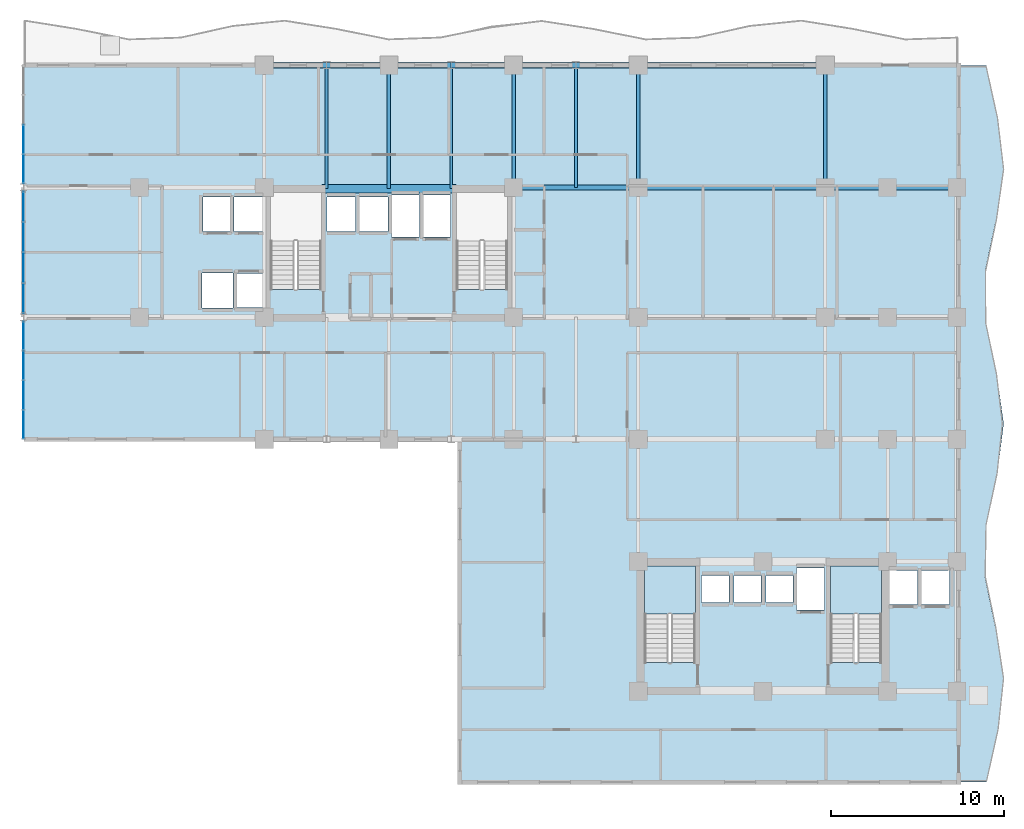
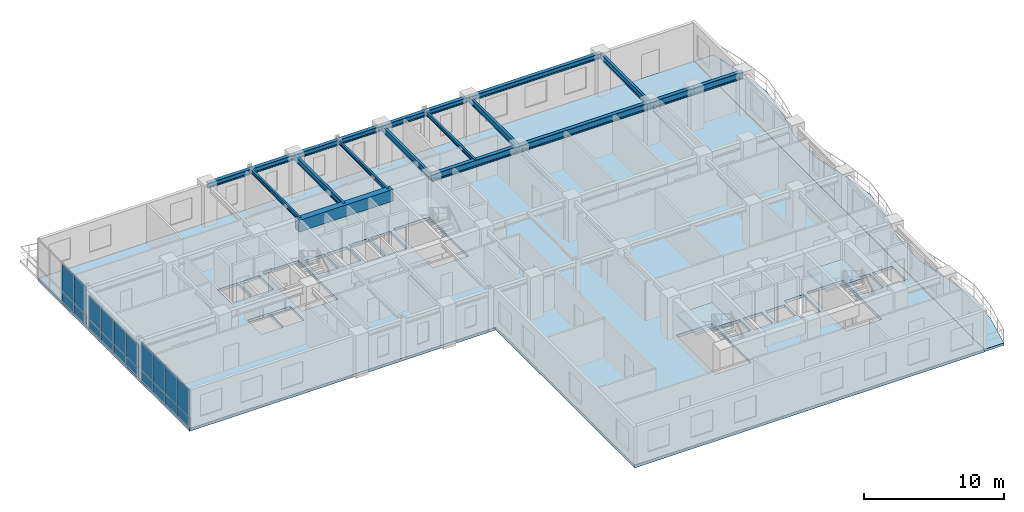
# One storey, part 9 of 19: 20 plates, 19 beams, 4 slabs, 5 elements without a shape of their own.
"""IFC4 building model written with IfcOpenShell, lengths in metres."""

import ifcopenshell
import ifcopenshell.guid

model = None  # the IFC model being written
_history = None  # IfcOwnerHistory: only IFC2X3 demands one
_inside = {}  # id of a spatial element -> (the spatial element, [elements in it])
_under = {}  # id of a project, library or spatial element -> (it, [spatial elements below it])
_declared = {}  # id of a project -> (the project, [libraries it declares])
_typed = {}  # id of a type object -> (the type object, [elements of that type])
_made_of = {}  # id of a material, layer set ... -> (it, [elements and type objects made of it])


def new_model(schema):
    """Start an empty IFC model of exactly this schema.

    Asked for "IFC4X3", IfcOpenShell would pick the latest addendum, in which some entities
    have other attributes; the version numbers below select the first issue.
    IFC2X3 requires an IfcOwnerHistory on every rooted entity: one is made here for all.
    """
    global model, _history
    if schema == "IFC4X3":
        model = ifcopenshell.file(schema_version=(4, 3, 0, 0))
    else:
        model = ifcopenshell.file(schema=schema)
    _inside.clear()
    _under.clear()
    _declared.clear()
    _typed.clear()
    _made_of.clear()
    _history = None
    if model.schema == "IFC2X3":
        org = make("IfcOrganization", Name="unknown")
        user = make(
            "IfcPersonAndOrganization",
            ThePerson=make("IfcPerson", FamilyName="unknown"),
            TheOrganization=org,
        )
        app = make(
            "IfcApplication",
            ApplicationDeveloper=org,
            Version="unknown",
            ApplicationFullName="unknown",
            ApplicationIdentifier="unknown",
        )
        _history = make(
            "IfcOwnerHistory",
            OwningUser=user,
            OwningApplication=app,
            ChangeAction="ADDED",
            CreationDate=0,
        )
    return model


def make(cls, **values):
    """One entity of the class cls with the attributes given. An attribute that is None is left unset."""
    return model.create_entity(
        cls, **{name: value for name, value in values.items() if value is not None}
    )


def rooted(cls, **values):
    """An entity with a GlobalId (a new one), such as an element, a storey or a relation."""
    return make(cls, GlobalId=ifcopenshell.guid.new(), OwnerHistory=_history, **values)


def si_unit(unit_type, name, prefix=None):
    """IfcSIUnit, for example si_unit("LENGTHUNIT", "METRE", prefix="MILLI")."""
    return make("IfcSIUnit", UnitType=unit_type, Prefix=prefix, Name=name)


def assignment(units):
    """IfcUnitAssignment: the units of a project."""
    return None if units is None else make("IfcUnitAssignment", Units=units)


def point(xyz):
    """IfcCartesianPoint."""
    return None if xyz is None else make("IfcCartesianPoint", Coordinates=xyz)


def direction(xyz):
    """IfcDirection."""
    return None if xyz is None else make("IfcDirection", DirectionRatios=xyz)


def frame(location, z_axis=None, x_axis=None):
    """IfcAxis2Placement3D, a coordinate frame: its origin and axes. An axis left out is left unset."""
    return make(
        "IfcAxis2Placement3D",
        Location=point(location),
        Axis=direction(z_axis),
        RefDirection=direction(x_axis),
    )


def frame_2d(location, x_axis=None):
    """IfcAxis2Placement2D, a coordinate frame in the plane: its origin and x axis."""
    return make(
        "IfcAxis2Placement2D", Location=point(location), RefDirection=direction(x_axis)
    )


def origin():
    """The frame at (0, 0, 0) with its axes left unset."""
    return frame((0.0, 0.0, 0.0))


def origin_2d():
    """The frame at (0, 0) in the plane with its x axis left unset."""
    return frame_2d((0.0, 0.0))


def place(relative_to, where):
    """IfcLocalPlacement: puts the frame where relative to a parent placement (None: the world)."""
    return make(
        "IfcLocalPlacement", PlacementRelTo=relative_to, RelativePlacement=where
    )


def context(
    kind, dimensions, precision=None, world=None, true_north=None, identifier=None
):
    """IfcGeometricRepresentationContext, for example the 3D "Model" context."""
    return make(
        "IfcGeometricRepresentationContext",
        ContextIdentifier=identifier,
        ContextType=kind,
        CoordinateSpaceDimension=dimensions,
        Precision=precision,
        WorldCoordinateSystem=world,
        TrueNorth=true_north,
    )


def subcontext(parent, identifier, kind, view, scale=None):
    """IfcGeometricRepresentationSubContext, for example "Body" below "Model"."""
    return make(
        "IfcGeometricRepresentationSubContext",
        ContextIdentifier=identifier,
        ContextType=kind,
        ParentContext=parent,
        TargetScale=scale,
        TargetView=view,
    )


def project(units=None, contexts=None):
    """IfcProject with its units and contexts."""
    return rooted(
        "IfcProject",
        Name="project",
        RepresentationContexts=contexts,
        UnitsInContext=assignment(units),
    )


def spatial(cls, under=None, at=None, **own):
    """A site, building, storey or space (cls), placed at a placement, below another one or the project."""
    s = rooted(cls, ObjectPlacement=at, **own)
    if under is not None:
        _under.setdefault(under.id(), (under, []))[1].append(s)
    return s


def polyline(points):
    """IfcPolyline through the points."""
    return make("IfcPolyline", Points=[point(p) for p in points])


def profile(cls, at=None, kind="AREA", **sizes):
    """A parametric profile (cls). Its sizes go by their IFC names, for example OverallWidth=200.0."""
    return make(cls, ProfileType=kind, Position=at, **sizes)


def rectangle(**sizes):
    """IfcRectangleProfileDef."""
    return profile("IfcRectangleProfileDef", **sizes)


def i_section(**sizes):
    """IfcIShapeProfileDef."""
    return profile("IfcIShapeProfileDef", **sizes)


def outline(outer, holes=None, kind="AREA"):
    """IfcArbitraryClosedProfileDef: a profile drawn as a closed curve; with holes, ...WithVoids."""
    if holes is None:
        return make("IfcArbitraryClosedProfileDef", ProfileType=kind, OuterCurve=outer)
    return make(
        "IfcArbitraryProfileDefWithVoids",
        ProfileType=kind,
        OuterCurve=outer,
        InnerCurves=holes,
    )


def extrude(swept, where, along, depth):
    """IfcExtrudedAreaSolid: the profile swept, set in the frame where, extruded along a direction by depth."""
    return make(
        "IfcExtrudedAreaSolid",
        SweptArea=swept,
        Position=where,
        ExtrudedDirection=direction(along),
        Depth=depth,
    )


def shape(context_of_items, identifier, shape_type, items):
    """IfcShapeRepresentation: the items that make up one representation, for example the "Body"."""
    return make(
        "IfcShapeRepresentation",
        ContextOfItems=context_of_items,
        RepresentationIdentifier=identifier,
        RepresentationType=shape_type,
        Items=items,
    )


def source(mapping_origin, context_of_items, identifier, shape_type, items):
    """IfcRepresentationMap: a shape defined once, which mapped items show again and again."""
    return make(
        "IfcRepresentationMap",
        MappingOrigin=mapping_origin,
        MappedRepresentation=shape(context_of_items, identifier, shape_type, items),
    )


def transform(
    local_origin,
    x_axis=None,
    y_axis=None,
    z_axis=None,
    scale=None,
    scale2=None,
    scale3=None,
    uniform=True,
):
    """IfcCartesianTransformationOperator3D, or its non-uniform kind. x_axis, y_axis, z_axis: its Axis1, 2, 3."""
    if uniform:
        return make(
            "IfcCartesianTransformationOperator3D",
            Axis1=direction(x_axis),
            Axis2=direction(y_axis),
            LocalOrigin=point(local_origin),
            Scale=scale,
            Axis3=direction(z_axis),
        )
    return make(
        "IfcCartesianTransformationOperator3DnonUniform",
        Axis1=direction(x_axis),
        Axis2=direction(y_axis),
        LocalOrigin=point(local_origin),
        Scale=scale,
        Axis3=direction(z_axis),
        Scale2=scale2,
        Scale3=scale3,
    )


def mapped(mapping_source, mapping_target):
    """IfcMappedItem: shows the shape of a source again, moved by a transform."""
    return make(
        "IfcMappedItem", MappingSource=mapping_source, MappingTarget=mapping_target
    )


def material(Name=None, Category=None):
    """IfcMaterial."""
    return make("IfcMaterial", Name=Name, Category=Category)


def layer(
    of_material, thickness, ventilated=None, Name=None, Category=None, Priority=None
):
    """IfcMaterialLayer: one layer of a wall or slab, of a material (None: an air gap)."""
    return make(
        "IfcMaterialLayer",
        Material=of_material,
        LayerThickness=thickness,
        IsVentilated=ventilated,
        Name=Name,
        Category=Category,
        Priority=Priority,
    )


def layer_set(layers, Name=None):
    """IfcMaterialLayerSet."""
    return make("IfcMaterialLayerSet", MaterialLayers=layers, LayerSetName=Name)


def material_profile(
    of_material, cross_section, Name=None, Category=None, Priority=None
):
    """IfcMaterialProfile: a cross section and its material."""
    return make(
        "IfcMaterialProfile",
        Name=Name,
        Material=of_material,
        Profile=cross_section,
        Priority=Priority,
        Category=Category,
    )


def profile_set(profiles, Name=None, composite=None):
    """IfcMaterialProfileSet."""
    return make(
        "IfcMaterialProfileSet",
        Name=Name,
        MaterialProfiles=profiles,
        CompositeProfile=composite,
    )


def made_of(thing, what):
    """Note that an element or type object is made of a material, layer set ...; save() writes the relation."""
    if what is not None:
        _made_of.setdefault(what.id(), (what, []))[1].append(thing)
    return thing


def type_object(cls, material=None, **own):
    """A type object (cls), such as IfcWallType, which elements share."""
    return made_of(rooted(cls, **own), material)


def element(
    cls,
    number,
    at=None,
    inside=None,
    cuts=None,
    type_object=None,
    material=None,
    context=None,
    identifier="Body",
    shape_type=None,
    held_by="IfcProductDefinitionShape",
    body=None,
    shapes=None,
    **own,
):
    """One element of the class cls, such as IfcWall. Its Tag is "e" and its number.

    at: its placement. inside: the storey or other place that contains it. cuts: it is an
    opening in that element (IfcRelVoidsElement). A single representation is given by context,
    identifier, shape_type and body (its items); several are given by shapes. held_by: the class
    of the entity that holds the representations. save() writes the other relations.
    """
    e = rooted(cls, Tag="e%d" % number, ObjectPlacement=at, **own)
    if body is not None:
        shapes = [shape(context, identifier, shape_type, body)]
    if shapes is not None:
        e.Representation = make(held_by, Representations=shapes)
    if inside is not None:
        _inside.setdefault(inside.id(), (inside, []))[1].append(e)
    if cuts is not None:
        rooted(
            "IfcRelVoidsElement", RelatingBuildingElement=cuts, RelatedOpeningElement=e
        )
    if type_object is not None:
        _typed.setdefault(type_object.id(), (type_object, []))[1].append(e)
    return made_of(e, material)


def aggregate(whole, parts):
    """IfcRelAggregates: a whole, such as a stair, and the parts it consists of."""
    return rooted("IfcRelAggregates", RelatingObject=whole, RelatedObjects=parts)


def save(model, path):
    """Write the relations noted so far, then the file.

    IfcRelAggregates (storeys below a building ...), IfcRelContainedInSpatialStructure (elements
    in a storey), IfcRelDefinesByType, IfcRelAssociatesMaterial and IfcRelDeclares: one each for
    every whole, place, type object, material and project.
    """
    for whole, parts in _under.values():
        aggregate(whole, parts)
    for where, things in _inside.values():
        rooted(
            "IfcRelContainedInSpatialStructure",
            RelatedElements=things,
            RelatingStructure=where,
        )
    for kind, things in _typed.values():
        rooted("IfcRelDefinesByType", RelatedObjects=things, RelatingType=kind)
    for what, things in _made_of.values():
        rooted("IfcRelAssociatesMaterial", RelatedObjects=things, RelatingMaterial=what)
    for by, libraries in _declared.values():
        rooted("IfcRelDeclares", RelatingContext=by, RelatedDefinitions=libraries)
    model.write(path)


model = new_model("IFC4")

# Units and contexts
model_context = context("Model", 3, precision=1e-05, world=origin(), true_north=direction((0.0, 1.0)))
body_context = subcontext(model_context, "Body", "Model", "MODEL_VIEW")
ifc_project = project(units=[si_unit("LENGTHUNIT", "METRE"), si_unit("AREAUNIT", "SQUARE_METRE"), si_unit("VOLUMEUNIT", "CUBIC_METRE"), si_unit("PLANEANGLEUNIT", "RADIAN"), si_unit("MASSUNIT", "GRAM", prefix="KILO")], contexts=[model_context])

# Site, building, storey
site_placement = place(None, origin())
site = spatial("IfcSite", under=ifc_project, at=site_placement, CompositionType="ELEMENT")
building_placement = place(site_placement, origin())
building = spatial("IfcBuilding", under=site, at=building_placement, Name="Kaliganga Portal Commons", CompositionType="ELEMENT")
storey_placement = place(building_placement, frame((0.0, 0.0, 140.199951171875)))
storey = spatial("IfcBuildingStorey", under=building, at=storey_placement, Name="L35", CompositionType="ELEMENT", Elevation=140.199951171875)

# Beams
ifc_material_1 = material(Name="Concrete C50/60", Category="concrete")
ifc_material_profile_1 = material_profile(ifc_material_1, rectangle(XDim=0.5, YDim=1.0, at=origin_2d()), Name="RC 500x1000")
ifc_profile_set_1 = profile_set([ifc_material_profile_1], Name="Concrete C50/60")
beam_type_1 = type_object("IfcBeamType", Name="BM-CPL-1000", PredefinedType="LINTEL", material=ifc_profile_set_1)
shared_shape_1 = source(origin(), body_context, "Body", "SweptSolid", [
    extrude(rectangle(XDim=0.5, YDim=1.0, at=origin_2d()), origin(), (0.0, 0.0, 1.0), 7.739990234375),
])
beam_1_placement = place(storey_placement, frame((17.72998046875, 36.074951171875, 2.9599609375), z_axis=(1.0, 0.0, 0.0), x_axis=(0.0, 1.0, 0.0)))
element("IfcBeam", 1, at=beam_1_placement, inside=storey, type_object=beam_type_1, Name="BM CPL COREA L35 N", PredefinedType="LINTEL", context=body_context, shape_type="MappedRepresentation", body=[
    mapped(shared_shape_1, transform((0.0, 0.0, 0.0), x_axis=(1.0, 0.0, 0.0), y_axis=(0.0, 1.0, 0.0), z_axis=(0.0, 0.0, 1.0), scale=1.0)),
])
ifc_material_2 = material(Name="Structural steel S355J2", Category="steel")
ifc_material_profile_2 = material_profile(ifc_material_2, i_section(OverallWidth=0.199951171875, OverallDepth=0.5, WebThickness=0.01025390625, FlangeThickness=0.01611328125, FilletRadius=0.02099609375, at=origin_2d()), Name="IPE 500")
ifc_profile_set_2 = profile_set([ifc_material_profile_2], Name="Structural steel S355J2 wide-flange")
beam_type_2 = type_object("IfcBeamType", Name="BM-FLR-500", PredefinedType="BEAM", material=ifc_profile_set_2)
shared_shape_2 = source(origin(), body_context, "Body", "SweptSolid", [
    extrude(i_section(OverallWidth=0.199951171875, OverallDepth=0.5, WebThickness=0.01025390625, FlangeThickness=0.01611328125, FilletRadius=0.02099609375, at=origin_2d()), origin(), (0.0, 0.0, 1.0), 7.050048828125),
])
for number, where, z_axis, x_axis, name in (
    (2, (28.800048828125, 36.14990234375, 3.2099609375), (0.0, 1.0, 0.0), (-1.0, 0.0, 0.0), "BM G L35 AN288"),
    (3, (36.0, 36.14990234375, 3.2099609375), (0.0, 1.0, 0.0), (-1.0, 0.0, 0.0), "BM G L35 AN360"),
    (4, (46.800048828125, 36.14990234375, 3.2099609375), (0.0, 1.0, 0.0), (-1.0, 0.0, 0.0), "BM G L35 AN468"),
):
    element("IfcBeam", number, at=place(storey_placement, frame(where, z_axis=z_axis, x_axis=x_axis)), inside=storey, type_object=beam_type_2, Name=name, PredefinedType="BEAM", context=body_context, shape_type="MappedRepresentation", body=[
        mapped(shared_shape_2, transform((0.0, 0.0, 0.0), x_axis=(1.0, 0.0, 0.0), y_axis=(0.0, 1.0, 0.0), z_axis=(0.0, 0.0, 1.0), scale=1.0)),
    ])
ifc_material_profile_3 = material_profile(ifc_material_2, i_section(OverallWidth=0.300048828125, OverallDepth=0.449951171875, WebThickness=0.013916015625, FlangeThickness=0.02587890625, FilletRadius=0.027099609375, at=origin_2d()), Name="HE 450 B")
ifc_profile_set_3 = profile_set([ifc_material_profile_3], Name="Structural steel S355J2 wide-flange")
beam_type_3 = type_object("IfcBeamType", Name="BM-SPAND-450", PredefinedType="SPANDREL", material=ifc_profile_set_3)
shared_shape_3 = source(origin(), body_context, "Body", "SweptSolid", [
    extrude(i_section(OverallWidth=0.300048828125, OverallDepth=0.449951171875, WebThickness=0.013916015625, FlangeThickness=0.02587890625, FilletRadius=0.027099609375, at=origin_2d()), origin(), (0.0, 0.0, 1.0), 3.60009765625),
])
for number, where, z_axis, x_axis, name in (
    (5, (14.39990234375, 43.199951171875, 3.235107421875), (1.0, 0.0, 0.0), (0.0, 1.0, 0.0), "BM SP L35 AN 1"),
    (6, (18.0, 43.199951171875, 3.235107421875), (1.0, 0.0, 0.0), (0.0, 1.0, 0.0), "BM SP L35 AN 2"),
    (7, (25.199951171875, 43.199951171875, 3.235107421875), (1.0, 0.0, 0.0), (0.0, 1.0, 0.0), "BM SP L35 AN 4"),
    (8, (32.39990234375, 43.199951171875, 3.235107421875), (1.0, 0.0, 0.0), (0.0, 1.0, 0.0), "BM SP L35 AN 6"),
):
    element("IfcBeam", number, at=place(storey_placement, frame(where, z_axis=z_axis, x_axis=x_axis)), inside=storey, type_object=beam_type_3, Name=name, PredefinedType="SPANDREL", context=body_context, shape_type="MappedRepresentation", body=[
        mapped(shared_shape_3, transform((0.0, 0.0, 0.0), x_axis=(1.0, 0.0, 0.0), y_axis=(0.0, 1.0, 0.0), z_axis=(0.0, 0.0, 1.0), scale=1.0)),
    ])
shared_shape_4 = source(origin(), body_context, "Body", "SweptSolid", [
    extrude(i_section(OverallWidth=0.300048828125, OverallDepth=0.449951171875, WebThickness=0.013916015625, FlangeThickness=0.02587890625, FilletRadius=0.027099609375, at=origin_2d()), origin(), (0.0, 0.0, 1.0), 3.599853515625),
])
for number, where, z_axis, x_axis, name in (
    (9, (21.60009765625, 43.199951171875, 3.235107421875), (1.0, 0.0, 0.0), (0.0, 1.0, 0.0), "BM SP L35 AN 3"),
    (10, (28.800048828125, 43.199951171875, 3.235107421875), (1.0, 0.0, 0.0), (0.0, 1.0, 0.0), "BM SP L35 AN 5"),
):
    element("IfcBeam", number, at=place(storey_placement, frame(where, z_axis=z_axis, x_axis=x_axis)), inside=storey, type_object=beam_type_3, Name=name, PredefinedType="SPANDREL", context=body_context, shape_type="MappedRepresentation", body=[
        mapped(shared_shape_4, transform((0.0, 0.0, 0.0), x_axis=(1.0, 0.0, 0.0), y_axis=(0.0, 1.0, 0.0), z_axis=(0.0, 0.0, 1.0), scale=1.0)),
    ])
shared_shape_5 = source(origin(), body_context, "Body", "SweptSolid", [
    extrude(i_section(OverallWidth=0.300048828125, OverallDepth=0.449951171875, WebThickness=0.013916015625, FlangeThickness=0.02587890625, FilletRadius=0.027099609375, at=origin_2d()), origin(), (0.0, 0.0, 1.0), 10.800048828125),
])
beam_2_placement = place(storey_placement, frame((36.0, 43.199951171875, 3.235107421875), z_axis=(1.0, 0.0, 0.0), x_axis=(0.0, 1.0, 0.0)))
element("IfcBeam", 11, at=beam_2_placement, inside=storey, type_object=beam_type_3, Name="BM SP L35 AN 7", PredefinedType="SPANDREL", context=body_context, shape_type="MappedRepresentation", body=[
    mapped(shared_shape_5, transform((0.0, 0.0, 0.0), x_axis=(1.0, 0.0, 0.0), y_axis=(0.0, 1.0, 0.0), z_axis=(0.0, 0.0, 1.0), scale=1.0)),
])
ifc_material_profile_4 = material_profile(ifc_material_2, i_section(OverallWidth=0.159912109375, OverallDepth=0.330078125, WebThickness=0.007568359375, FlangeThickness=0.011474609375, FilletRadius=0.01806640625, at=origin_2d()), Name="IPE 330")
ifc_profile_set_4 = profile_set([ifc_material_profile_4], Name="Structural steel S355J2 wide-flange")
beam_type_4 = type_object("IfcBeamType", Name="BM-JST-330", PredefinedType="JOIST", material=ifc_profile_set_4)
shared_shape_6 = source(origin(), body_context, "Body", "SweptSolid", [
    extrude(i_section(OverallWidth=0.159912109375, OverallDepth=0.330078125, WebThickness=0.007568359375, FlangeThickness=0.011474609375, FilletRadius=0.01806640625, at=origin_2d()), origin(), (0.0, 0.0, 1.0), 7.050048828125),
])
beam_3_placement = place(storey_placement, frame((32.39990234375, 36.14990234375, 3.295166015625), z_axis=(0.0, 1.0, 0.0), x_axis=(-1.0, 0.0, 0.0)))
element("IfcBeam", 12, at=beam_3_placement, inside=storey, type_object=beam_type_4, Name="BM G L35 AN324", PredefinedType="JOIST", context=body_context, shape_type="MappedRepresentation", body=[
    mapped(shared_shape_6, transform((0.0, 0.0, 0.0), x_axis=(1.0, 0.0, 0.0), y_axis=(0.0, 1.0, 0.0), z_axis=(0.0, 0.0, 1.0), scale=1.0)),
])
ifc_material_profile_5 = material_profile(ifc_material_2, i_section(OverallWidth=0.300048828125, OverallDepth=0.60009765625, WebThickness=0.015380859375, FlangeThickness=0.030029296875, FilletRadius=0.027099609375, at=origin_2d()), Name="HE 600 B")
ifc_profile_set_5 = profile_set([ifc_material_profile_5], Name="Structural steel S355J2 wide-flange")
beam_type_5 = type_object("IfcBeamType", Name="BM-GIRD-600", PredefinedType="USERDEFINED", material=ifc_profile_set_5)
shared_shape_7 = source(origin(), body_context, "Body", "SweptSolid", [
    extrude(i_section(OverallWidth=0.300048828125, OverallDepth=0.60009765625, WebThickness=0.015380859375, FlangeThickness=0.030029296875, FilletRadius=0.027099609375, at=origin_2d()), origin(), (0.0, 0.0, 1.0), 7.199951171875),
])
beam_4_placement = place(storey_placement, frame((28.800048828125, 36.14990234375, 3.16015625), z_axis=(1.0, 0.0, 0.0), x_axis=(0.0, 1.0, 0.0)))
element("IfcBeam", 13, at=beam_4_placement, inside=storey, type_object=beam_type_5, Name="BM G L35 WAE_N 1", ObjectType="GIRDER", PredefinedType="USERDEFINED", context=body_context, shape_type="MappedRepresentation", body=[
    mapped(shared_shape_7, transform((0.0, 0.0, 0.0), x_axis=(1.0, 0.0, 0.0), y_axis=(0.0, 1.0, 0.0), z_axis=(0.0, 0.0, 1.0), scale=1.0)),
])
shared_shape_8 = source(origin(), body_context, "Body", "SweptSolid", [
    extrude(i_section(OverallWidth=0.300048828125, OverallDepth=0.60009765625, WebThickness=0.015380859375, FlangeThickness=0.030029296875, FilletRadius=0.027099609375, at=origin_2d()), origin(), (0.0, 0.0, 1.0), 10.800048828125),
])
beam_5_placement = place(storey_placement, frame((36.0, 36.14990234375, 3.16015625), z_axis=(1.0, 0.0, 0.0), x_axis=(0.0, 1.0, 0.0)))
element("IfcBeam", 14, at=beam_5_placement, inside=storey, type_object=beam_type_5, Name="BM G L35 WAE_N 2", ObjectType="GIRDER", PredefinedType="USERDEFINED", context=body_context, shape_type="MappedRepresentation", body=[
    mapped(shared_shape_8, transform((0.0, 0.0, 0.0), x_axis=(1.0, 0.0, 0.0), y_axis=(0.0, 1.0, 0.0), z_axis=(0.0, 0.0, 1.0), scale=1.0)),
])
shared_shape_9 = source(origin(), body_context, "Body", "SweptSolid", [
    extrude(i_section(OverallWidth=0.159912109375, OverallDepth=0.330078125, WebThickness=0.007568359375, FlangeThickness=0.011474609375, FilletRadius=0.01806640625, at=origin_2d()), origin(), (0.0, 0.0, 1.0), 7.125),
])
for number, where, z_axis, x_axis, name in (
    (15, (18.0, 36.074951171875, 3.295166015625), (0.0, 1.0, 0.0), (-1.0, 0.0, 0.0), "BM G L35 AN180"),
    (16, (25.199951171875, 36.074951171875, 3.295166015625), (0.0, 1.0, 0.0), (-1.0, 0.0, 0.0), "BM G L35 AN252"),
):
    element("IfcBeam", number, at=place(storey_placement, frame(where, z_axis=z_axis, x_axis=x_axis)), inside=storey, type_object=beam_type_4, Name=name, PredefinedType="JOIST", context=body_context, shape_type="MappedRepresentation", body=[
        mapped(shared_shape_9, transform((0.0, 0.0, 0.0), x_axis=(1.0, 0.0, 0.0), y_axis=(0.0, 1.0, 0.0), z_axis=(0.0, 0.0, 1.0), scale=1.0)),
    ])
shared_shape_10 = source(origin(), body_context, "Body", "SweptSolid", [
    extrude(i_section(OverallWidth=0.199951171875, OverallDepth=0.5, WebThickness=0.01025390625, FlangeThickness=0.01611328125, FilletRadius=0.02099609375, at=origin_2d()), origin(), (0.0, 0.0, 1.0), 7.125),
])
beam_6_placement = place(storey_placement, frame((21.60009765625, 36.074951171875, 3.2099609375), z_axis=(0.0, 1.0, 0.0), x_axis=(-1.0, 0.0, 0.0)))
element("IfcBeam", 17, at=beam_6_placement, inside=storey, type_object=beam_type_2, Name="BM G L35 AN216", PredefinedType="BEAM", context=body_context, shape_type="MappedRepresentation", body=[
    mapped(shared_shape_10, transform((0.0, 0.0, 0.0), x_axis=(1.0, 0.0, 0.0), y_axis=(0.0, 1.0, 0.0), z_axis=(0.0, 0.0, 1.0), scale=1.0)),
])
shared_shape_11 = source(origin(), body_context, "Body", "SweptSolid", [
    extrude(i_section(OverallWidth=0.300048828125, OverallDepth=0.60009765625, WebThickness=0.015380859375, FlangeThickness=0.030029296875, FilletRadius=0.027099609375, at=origin_2d()), origin(), (0.0, 0.0, 1.0), 4.0),
])
beam_7_placement = place(storey_placement, frame((50.39990234375, 36.14990234375, 3.16015625), z_axis=(1.0, 0.0, 0.0), x_axis=(0.0, 1.0, 0.0)))
element("IfcBeam", 18, at=beam_7_placement, inside=storey, type_object=beam_type_5, Name="BM G L35 BKE362 2", ObjectType="GIRDER", PredefinedType="USERDEFINED", context=body_context, shape_type="MappedRepresentation", body=[
    mapped(shared_shape_11, transform((0.0, 0.0, 0.0), x_axis=(1.0, 0.0, 0.0), y_axis=(0.0, 1.0, 0.0), z_axis=(0.0, 0.0, 1.0), scale=1.0)),
])
shared_shape_12 = source(origin(), body_context, "Body", "SweptSolid", [
    extrude(i_section(OverallWidth=0.300048828125, OverallDepth=0.60009765625, WebThickness=0.015380859375, FlangeThickness=0.030029296875, FilletRadius=0.027099609375, at=origin_2d()), origin(), (0.0, 0.0, 1.0), 3.599853515625),
])
beam_8_placement = place(storey_placement, frame((46.800048828125, 36.14990234375, 3.16015625), z_axis=(1.0, 0.0, 0.0), x_axis=(0.0, 1.0, 0.0)))
element("IfcBeam", 19, at=beam_8_placement, inside=storey, type_object=beam_type_5, Name="BM G L35 BKE362 1", ObjectType="GIRDER", PredefinedType="USERDEFINED", context=body_context, shape_type="MappedRepresentation", body=[
    mapped(shared_shape_12, transform((0.0, 0.0, 0.0), x_axis=(1.0, 0.0, 0.0), y_axis=(0.0, 1.0, 0.0), z_axis=(0.0, 0.0, 1.0), scale=1.0)),
])

# Slab
ifc_material_3 = material(Name="Concrete C40/50", Category="concrete")
ifc_layer_1 = layer(ifc_material_3, 0.2099609375)
ifc_layer_set_1 = layer_set([ifc_layer_1], Name="Concrete C40/50")
slab_type_1 = type_object("IfcSlabType", Name="SLB-BALC-210", PredefinedType="FLOOR", material=ifc_layer_set_1)
slab_1_placement = place(storey_placement, frame((0.0, 0.0, -0.2099609375)))
element("IfcSlab", 20, at=slab_1_placement, inside=storey, type_object=slab_type_1, Name="Scalloped Tree-Planter Balcony Slab L35 balc_east", PredefinedType="FLOOR", context=body_context, shape_type="SweptSolid", body=[
    extrude(outline(polyline([(54.5, 1.800048828125), (56.1123046875, 1.800048828125), (56.77490234375, 4.757080078125), (57.095703125, 7.71435546875), (56.642578125, 10.67138671875), (56.026123046875, 13.628662109375), (56.077392578125, 16.585693359375), (56.727294921875, 19.54296875), (57.099609375, 22.5), (56.69287109375, 25.45703125), (56.054931640625, 28.414306640625), (56.0458984375, 31.371337890625), (56.677978515625, 34.32861328125), (57.09912109375, 37.28564453125), (56.74169921875, 40.242919921875), (56.08740234375, 43.199951171875), (54.5, 43.199951171875), (54.5, 1.800048828125)])), origin(), (0.0, 0.0, 1.0), 0.2099609375),
])

# Stair, slab
stair_type = type_object("IfcStairType", Name="ST-CORE-DOGLEG", PredefinedType="HALF_TURN_STAIR", material=ifc_material_3)
stair_1_placement = place(storey_placement, origin())
stair_1 = element("IfcStair", 21, at=stair_1_placement, inside=storey, type_object=stair_type, Name="L35 Protected Exit Stair ST-B1", PredefinedType="HALF_TURN_STAIR")
ifc_layer_2 = layer(ifc_material_3, 0.199951171875)
ifc_layer_set_2 = layer_set([ifc_layer_2], Name="Concrete C40/50")
slab_type_2 = type_object("IfcSlabType", Name="SLB-STAIR-LND", PredefinedType="LANDING", material=ifc_layer_set_2)
slab_2_placement = place(storey_placement, frame((0.0, 0.0, 1.650146484375)))
slab_2 = element("IfcSlab", 22, at=slab_2_placement, type_object=slab_type_2, Name="ST-B1 landing 1", PredefinedType="LANDING", context=body_context, shape_type="SweptSolid", body=[
    extrude(outline(polyline([(39.300048828125, 11.5), (39.300048828125, 14.300048828125), (36.35009765625, 14.300048828125), (36.35009765625, 11.5), (39.300048828125, 11.5)])), origin(), (0.0, 0.0, 1.0), 0.199951171875),
])
aggregate(stair_1, [slab_2])

stair_2_placement = place(storey_placement, origin())
stair_2 = element("IfcStair", 23, at=stair_2_placement, inside=storey, type_object=stair_type, Name="L35 Protected Exit Stair ST-B2", PredefinedType="HALF_TURN_STAIR")
slab_3_placement = place(storey_placement, frame((0.0, 0.0, 1.650146484375)))
slab_3 = element("IfcSlab", 24, at=slab_3_placement, type_object=slab_type_2, Name="ST-B2 landing 1", PredefinedType="LANDING", context=body_context, shape_type="SweptSolid", body=[
    extrude(outline(polyline([(50.050048828125, 11.5), (50.050048828125, 14.300048828125), (47.10009765625, 14.300048828125), (47.10009765625, 11.5), (50.050048828125, 11.5)])), origin(), (0.0, 0.0, 1.0), 0.199951171875),
])
aggregate(stair_2, [slab_3])

# Slab
ifc_layer_3 = layer(ifc_material_3, 0.239990234375)
ifc_layer_set_3 = layer_set([ifc_layer_3], Name="Concrete C40/50")
slab_type_3 = type_object("IfcSlabType", Name="SLB-TWR-240", PredefinedType="FLOOR", material=ifc_layer_set_3)
slab_4_placement = place(storey_placement, frame((0.0, 0.0, -0.239990234375)))
element("IfcSlab", 25, at=slab_4_placement, inside=storey, type_object=slab_type_3, Name="Structural Floor Slab L35", PredefinedType="FLOOR", context=body_context, shape_type="SweptSolid", body=[
    extrude(outline(polyline([(25.699951171875, 1.800048828125), (54.5, 1.800048828125), (54.5, 43.199951171875), (0.5, 43.199951171875), (0.5, 21.60009765625), (25.699951171875, 21.60009765625), (25.699951171875, 1.800048828125)]), holes=[polyline([(14.75, 30.25390625), (14.75, 35.85009765625), (17.699951171875, 35.85009765625), (17.699951171875, 30.25390625), (14.75, 30.25390625)]), polyline([(25.5, 30.25390625), (25.5, 35.85009765625), (28.449951171875, 35.85009765625), (28.449951171875, 30.25390625), (25.5, 30.25390625)]), polyline([(36.35009765625, 8.7041015625), (36.35009765625, 14.300048828125), (39.300048828125, 14.300048828125), (39.300048828125, 8.7041015625), (36.35009765625, 8.7041015625)]), polyline([(47.10009765625, 8.7041015625), (47.10009765625, 14.300048828125), (50.050048828125, 14.300048828125), (50.050048828125, 8.7041015625), (47.10009765625, 8.7041015625)]), polyline([(18.014892578125, 33.614990234375), (18.014892578125, 35.5849609375), (19.68505859375, 35.5849609375), (19.68505859375, 33.614990234375), (18.014892578125, 33.614990234375)]), polyline([(19.864990234375, 33.614990234375), (19.864990234375, 35.5849609375), (21.534912109375, 35.5849609375), (21.534912109375, 33.614990234375), (19.864990234375, 33.614990234375)]), polyline([(10.81494140625, 29.18994140625), (10.81494140625, 31.2099609375), (12.5849609375, 31.2099609375), (12.5849609375, 29.18994140625), (10.81494140625, 29.18994140625)]), polyline([(12.6650390625, 33.614990234375), (12.6650390625, 35.5849609375), (14.3349609375, 35.5849609375), (14.3349609375, 33.614990234375), (12.6650390625, 33.614990234375)]), polyline([(12.6650390625, 29.215087890625), (12.6650390625, 31.18505859375), (14.3349609375, 31.18505859375), (14.3349609375, 29.215087890625), (12.6650390625, 29.215087890625)]), polyline([(10.864990234375, 33.614990234375), (10.864990234375, 35.5849609375), (12.534912109375, 35.5849609375), (12.534912109375, 33.614990234375), (10.864990234375, 33.614990234375)]), polyline([(21.739990234375, 33.2900390625), (21.739990234375, 35.7099609375), (23.360107421875, 35.7099609375), (23.360107421875, 33.2900390625), (21.739990234375, 33.2900390625)]), polyline([(23.5400390625, 33.2900390625), (23.5400390625, 35.7099609375), (25.159912109375, 35.7099609375), (25.159912109375, 33.2900390625), (23.5400390625, 33.2900390625)]), polyline([(39.6650390625, 12.1650390625), (39.6650390625, 13.735107421875), (41.235107421875, 13.735107421875), (41.235107421875, 12.1650390625), (39.6650390625, 12.1650390625)]), polyline([(41.514892578125, 12.1650390625), (41.514892578125, 13.735107421875), (43.0849609375, 13.735107421875), (43.0849609375, 12.1650390625), (41.514892578125, 12.1650390625)]), polyline([(43.364990234375, 12.1650390625), (43.364990234375, 13.735107421875), (44.93505859375, 13.735107421875), (44.93505859375, 12.1650390625), (43.364990234375, 12.1650390625)]), polyline([(50.465087890625, 12.06494140625), (50.465087890625, 14.034912109375), (52.135009765625, 14.034912109375), (52.135009765625, 12.06494140625), (50.465087890625, 12.06494140625)]), polyline([(52.31494140625, 12.06494140625), (52.31494140625, 14.034912109375), (53.985107421875, 14.034912109375), (53.985107421875, 12.06494140625), (52.31494140625, 12.06494140625)]), polyline([(45.139892578125, 11.739990234375), (45.139892578125, 14.159912109375), (46.760009765625, 14.159912109375), (46.760009765625, 11.739990234375), (45.139892578125, 11.739990234375)])]), origin(), (0.0, 0.0, 1.0), 0.239990234375),
])

# Curtain wall, plates
ifc_material_4 = material(Name="Anodized Aluminium and Laminated Low-E Glass", Category="aluminium")
ifc_layer_4 = layer(ifc_material_4, 0.199951171875)
ifc_layer_set_4 = layer_set([ifc_layer_4], Name="Anodized Aluminium and Laminated Low-E Glass")
curtain_wall_type = type_object("IfcCurtainWallType", Name="CW-SYS-02", PredefinedType="NOTDEFINED", material=ifc_layer_set_4)
curtain_wall_1_placement = place(storey_placement, origin())
curtain_wall_1 = element("IfcCurtainWall", 26, at=curtain_wall_1_placement, inside=storey, type_object=curtain_wall_type, Name="CW 02 L35 P1E03S1", PredefinedType="NOTDEFINED")
ifc_material_5 = material(Name="Insulated Dark Spandrel Panel", Category="metal")
ifc_layer_5 = layer(ifc_material_5, 0.044921875)
ifc_layer_set_5 = layer_set([ifc_layer_5], Name="Insulated Dark Spandrel Panel")
plate_type_1 = type_object("IfcPlateType", Name="PLT-SPN-45", PredefinedType="SHEET", material=ifc_layer_set_5)
shared_shape_13 = source(origin(), body_context, "Body", "SweptSolid", [
    extrude(rectangle(XDim=1.67041015625, YDim=0.044921875, at=origin_2d()), origin(), (0.0, 0.0, 1.0), 0.929931640625),
])
plate_1_placement = place(storey_placement, frame((0.5, 38.923583984375, 0.01025390625), z_axis=(0.0, 0.0, 1.0), x_axis=(0.0, -1.0, 0.0)))
plate_1 = element("IfcPlate", 27, at=plate_1_placement, type_object=plate_type_1, Name="CW:02:L35:P1E03S1 Spandrel 02", PredefinedType="SHEET", context=body_context, shape_type="MappedRepresentation", body=[
    mapped(shared_shape_13, transform((0.0, 0.0, 0.0), x_axis=(1.0, 0.0, 0.0), y_axis=(0.0, 1.0, 0.0), z_axis=(0.0, 0.0, 1.0), scale=1.0)),
])
plate_2_placement = place(storey_placement, frame((0.5, 37.213134765625, 0.01025390625), z_axis=(0.0, 0.0, 1.0), x_axis=(0.0, -1.0, 0.0)))
plate_2 = element("IfcPlate", 28, at=plate_2_placement, type_object=plate_type_1, Name="CW:02:L35:P1E03S1 Spandrel 03", PredefinedType="SHEET", context=body_context, shape_type="MappedRepresentation", body=[
    mapped(shared_shape_13, transform((0.0, 0.0, 0.0), x_axis=(1.0, 0.0, 0.0), y_axis=(0.0, 1.0, 0.0), z_axis=(0.0, 0.0, 1.0), scale=1.0)),
])

curtain_wall_2_placement = place(storey_placement, origin())
curtain_wall_2 = element("IfcCurtainWall", 29, at=curtain_wall_2_placement, inside=storey, type_object=curtain_wall_type, Name="CW 02 L35 P1E03S3", PredefinedType="NOTDEFINED")
plate_3_placement = place(storey_placement, frame((0.5, 27.5869140625, 0.01025390625), z_axis=(0.0, 0.0, 1.0), x_axis=(0.0, -1.0, 0.0)))
plate_3 = element("IfcPlate", 30, at=plate_3_placement, type_object=plate_type_1, Name="CW:02:L35:P1E03S3 Spandrel 00", PredefinedType="SHEET", context=body_context, shape_type="MappedRepresentation", body=[
    mapped(shared_shape_13, transform((0.0, 0.0, 0.0), x_axis=(1.0, 0.0, 0.0), y_axis=(0.0, 1.0, 0.0), z_axis=(0.0, 0.0, 1.0), scale=1.0)),
])
plate_4_placement = place(storey_placement, frame((0.5, 25.876220703125, 0.01025390625), z_axis=(0.0, 0.0, 1.0), x_axis=(0.0, -1.0, 0.0)))
plate_4 = element("IfcPlate", 31, at=plate_4_placement, type_object=plate_type_1, Name="CW:02:L35:P1E03S3 Spandrel 01", PredefinedType="SHEET", context=body_context, shape_type="MappedRepresentation", body=[
    mapped(shared_shape_13, transform((0.0, 0.0, 0.0), x_axis=(1.0, 0.0, 0.0), y_axis=(0.0, 1.0, 0.0), z_axis=(0.0, 0.0, 1.0), scale=1.0)),
])
plate_5_placement = place(storey_placement, frame((0.5, 24.165771484375, 0.01025390625), z_axis=(0.0, 0.0, 1.0), x_axis=(0.0, -1.0, 0.0)))
plate_5 = element("IfcPlate", 32, at=plate_5_placement, type_object=plate_type_1, Name="CW:02:L35:P1E03S3 Spandrel 02", PredefinedType="SHEET", context=body_context, shape_type="MappedRepresentation", body=[
    mapped(shared_shape_13, transform((0.0, 0.0, 0.0), x_axis=(1.0, 0.0, 0.0), y_axis=(0.0, 1.0, 0.0), z_axis=(0.0, 0.0, 1.0), scale=1.0)),
])
plate_6_placement = place(storey_placement, frame((0.5, 22.455078125, 0.01025390625), z_axis=(0.0, 0.0, 1.0), x_axis=(0.0, -1.0, 0.0)))
plate_6 = element("IfcPlate", 33, at=plate_6_placement, type_object=plate_type_1, Name="CW:02:L35:P1E03S3 Spandrel 03", PredefinedType="SHEET", context=body_context, shape_type="MappedRepresentation", body=[
    mapped(shared_shape_13, transform((0.0, 0.0, 0.0), x_axis=(1.0, 0.0, 0.0), y_axis=(0.0, 1.0, 0.0), z_axis=(0.0, 0.0, 1.0), scale=1.0)),
])

# Plate
ifc_material_6 = material(Name="Dark Solar-Control Laminated Low-E IGU", Category="glass")
ifc_layer_6 = layer(ifc_material_6, 0.028076171875)
ifc_layer_set_6 = layer_set([ifc_layer_6], Name="Dark Solar-Control Laminated Low-E IGU")
plate_type_2 = type_object("IfcPlateType", Name="PLT-GLZ-28", PredefinedType="CURTAIN_PANEL", material=ifc_layer_set_6)
shared_shape_14 = source(origin(), body_context, "Body", "SweptSolid", [
    extrude(rectangle(XDim=1.67041015625, YDim=0.028076171875, at=origin_2d()), origin(), (0.0, 0.0, 1.0), 2.409912109375),
])
plate_7_placement = place(storey_placement, frame((0.5, 38.923583984375, 0.9599609375), z_axis=(0.0, 0.0, 1.0), x_axis=(0.0, -1.0, 0.0)))
plate_7 = element("IfcPlate", 34, at=plate_7_placement, type_object=plate_type_2, Name="CW:02:L35:P1E03S1 Vision IGU 02", PredefinedType="CURTAIN_PANEL", context=body_context, shape_type="MappedRepresentation", body=[
    mapped(shared_shape_14, transform((0.0, 0.0, 0.0), x_axis=(1.0, 0.0, 0.0), y_axis=(0.0, 1.0, 0.0), z_axis=(0.0, 0.0, 1.0), scale=1.0)),
])

plate_8_placement = place(storey_placement, frame((0.5, 37.213134765625, 0.9599609375), z_axis=(0.0, 0.0, 1.0), x_axis=(0.0, -1.0, 0.0)))
plate_8 = element("IfcPlate", 35, at=plate_8_placement, type_object=plate_type_2, Name="CW:02:L35:P1E03S1 Vision IGU 03", PredefinedType="CURTAIN_PANEL", context=body_context, shape_type="MappedRepresentation", body=[
    mapped(shared_shape_14, transform((0.0, 0.0, 0.0), x_axis=(1.0, 0.0, 0.0), y_axis=(0.0, 1.0, 0.0), z_axis=(0.0, 0.0, 1.0), scale=1.0)),
])

aggregate(curtain_wall_1, [plate_1, plate_7, plate_2, plate_8])

plate_9_placement = place(storey_placement, frame((0.5, 27.5869140625, 0.9599609375), z_axis=(0.0, 0.0, 1.0), x_axis=(0.0, -1.0, 0.0)))
plate_9 = element("IfcPlate", 36, at=plate_9_placement, type_object=plate_type_2, Name="CW:02:L35:P1E03S3 Vision IGU 00", PredefinedType="CURTAIN_PANEL", context=body_context, shape_type="MappedRepresentation", body=[
    mapped(shared_shape_14, transform((0.0, 0.0, 0.0), x_axis=(1.0, 0.0, 0.0), y_axis=(0.0, 1.0, 0.0), z_axis=(0.0, 0.0, 1.0), scale=1.0)),
])

plate_10_placement = place(storey_placement, frame((0.5, 25.876220703125, 0.9599609375), z_axis=(0.0, 0.0, 1.0), x_axis=(0.0, -1.0, 0.0)))
plate_10 = element("IfcPlate", 37, at=plate_10_placement, type_object=plate_type_2, Name="CW:02:L35:P1E03S3 Vision IGU 01", PredefinedType="CURTAIN_PANEL", context=body_context, shape_type="MappedRepresentation", body=[
    mapped(shared_shape_14, transform((0.0, 0.0, 0.0), x_axis=(1.0, 0.0, 0.0), y_axis=(0.0, 1.0, 0.0), z_axis=(0.0, 0.0, 1.0), scale=1.0)),
])

plate_11_placement = place(storey_placement, frame((0.5, 24.165771484375, 0.9599609375), z_axis=(0.0, 0.0, 1.0), x_axis=(0.0, -1.0, 0.0)))
plate_11 = element("IfcPlate", 38, at=plate_11_placement, type_object=plate_type_2, Name="CW:02:L35:P1E03S3 Vision IGU 02", PredefinedType="CURTAIN_PANEL", context=body_context, shape_type="MappedRepresentation", body=[
    mapped(shared_shape_14, transform((0.0, 0.0, 0.0), x_axis=(1.0, 0.0, 0.0), y_axis=(0.0, 1.0, 0.0), z_axis=(0.0, 0.0, 1.0), scale=1.0)),
])

plate_12_placement = place(storey_placement, frame((0.5, 22.455078125, 0.9599609375), z_axis=(0.0, 0.0, 1.0), x_axis=(0.0, -1.0, 0.0)))
plate_12 = element("IfcPlate", 39, at=plate_12_placement, type_object=plate_type_2, Name="CW:02:L35:P1E03S3 Vision IGU 03", PredefinedType="CURTAIN_PANEL", context=body_context, shape_type="MappedRepresentation", body=[
    mapped(shared_shape_14, transform((0.0, 0.0, 0.0), x_axis=(1.0, 0.0, 0.0), y_axis=(0.0, 1.0, 0.0), z_axis=(0.0, 0.0, 1.0), scale=1.0)),
])

aggregate(curtain_wall_2, [plate_3, plate_9, plate_4, plate_10, plate_5, plate_11, plate_6, plate_12])

# Curtain wall, plates
curtain_wall_3_placement = place(storey_placement, origin())
curtain_wall_3 = element("IfcCurtainWall", 40, at=curtain_wall_3_placement, inside=storey, type_object=curtain_wall_type, Name="CW 02 L35 P1E03S2", PredefinedType="NOTDEFINED")
shared_shape_15 = source(origin(), body_context, "Body", "SweptSolid", [
    extrude(rectangle(XDim=1.73095703125, YDim=0.044921875, at=origin_2d()), origin(), (0.0, 0.0, 1.0), 0.82275390625),
])
plate_13_placement = place(storey_placement, frame((0.5, 35.056396484375, 0.010009765625), z_axis=(0.0, 0.0, 1.0), x_axis=(0.0, -1.0, 0.0)))
plate_13 = element("IfcPlate", 41, at=plate_13_placement, type_object=plate_type_1, Name="CW:02:L35:P1E03S2 Spandrel 00", PredefinedType="SHEET", context=body_context, shape_type="MappedRepresentation", body=[
    mapped(shared_shape_15, transform((0.0, 0.0, 0.0), x_axis=(1.0, 0.0, 0.0), y_axis=(0.0, 1.0, 0.0), z_axis=(0.0, 0.0, 1.0), scale=1.0)),
])
plate_14_placement = place(storey_placement, frame((0.5, 33.285400390625, 0.010009765625), z_axis=(0.0, 0.0, 1.0), x_axis=(0.0, -1.0, 0.0)))
plate_14 = element("IfcPlate", 42, at=plate_14_placement, type_object=plate_type_1, Name="CW:02:L35:P1E03S2 Spandrel 01", PredefinedType="SHEET", context=body_context, shape_type="MappedRepresentation", body=[
    mapped(shared_shape_15, transform((0.0, 0.0, 0.0), x_axis=(1.0, 0.0, 0.0), y_axis=(0.0, 1.0, 0.0), z_axis=(0.0, 0.0, 1.0), scale=1.0)),
])
plate_15_placement = place(storey_placement, frame((0.5, 31.514404296875, 0.010009765625), z_axis=(0.0, 0.0, 1.0), x_axis=(0.0, -1.0, 0.0)))
plate_15 = element("IfcPlate", 43, at=plate_15_placement, type_object=plate_type_1, Name="CW:02:L35:P1E03S2 Spandrel 02", PredefinedType="SHEET", context=body_context, shape_type="MappedRepresentation", body=[
    mapped(shared_shape_15, transform((0.0, 0.0, 0.0), x_axis=(1.0, 0.0, 0.0), y_axis=(0.0, 1.0, 0.0), z_axis=(0.0, 0.0, 1.0), scale=1.0)),
])
plate_16_placement = place(storey_placement, frame((0.5, 29.743408203125, 0.010009765625), z_axis=(0.0, 0.0, 1.0), x_axis=(0.0, -1.0, 0.0)))
plate_16 = element("IfcPlate", 44, at=plate_16_placement, type_object=plate_type_1, Name="CW:02:L35:P1E03S2 Spandrel 03", PredefinedType="SHEET", context=body_context, shape_type="MappedRepresentation", body=[
    mapped(shared_shape_15, transform((0.0, 0.0, 0.0), x_axis=(1.0, 0.0, 0.0), y_axis=(0.0, 1.0, 0.0), z_axis=(0.0, 0.0, 1.0), scale=1.0)),
])
shared_shape_16 = source(origin(), body_context, "Body", "SweptSolid", [
    extrude(rectangle(XDim=1.73095703125, YDim=0.028076171875, at=origin_2d()), origin(), (0.0, 0.0, 1.0), 2.067138671875),
])
plate_17_placement = place(storey_placement, frame((0.5, 35.056396484375, 0.85302734375), z_axis=(0.0, 0.0, 1.0), x_axis=(0.0, -1.0, 0.0)))
plate_17 = element("IfcPlate", 45, at=plate_17_placement, type_object=plate_type_2, Name="CW:02:L35:P1E03S2 Vision IGU 00", PredefinedType="CURTAIN_PANEL", context=body_context, shape_type="MappedRepresentation", body=[
    mapped(shared_shape_16, transform((0.0, 0.0, 0.0), x_axis=(1.0, 0.0, 0.0), y_axis=(0.0, 1.0, 0.0), z_axis=(0.0, 0.0, 1.0), scale=1.0)),
])
plate_18_placement = place(storey_placement, frame((0.5, 33.285400390625, 0.85302734375), z_axis=(0.0, 0.0, 1.0), x_axis=(0.0, -1.0, 0.0)))
plate_18 = element("IfcPlate", 46, at=plate_18_placement, type_object=plate_type_2, Name="CW:02:L35:P1E03S2 Vision IGU 01", PredefinedType="CURTAIN_PANEL", context=body_context, shape_type="MappedRepresentation", body=[
    mapped(shared_shape_16, transform((0.0, 0.0, 0.0), x_axis=(1.0, 0.0, 0.0), y_axis=(0.0, 1.0, 0.0), z_axis=(0.0, 0.0, 1.0), scale=1.0)),
])
plate_19_placement = place(storey_placement, frame((0.5, 31.514404296875, 0.85302734375), z_axis=(0.0, 0.0, 1.0), x_axis=(0.0, -1.0, 0.0)))
plate_19 = element("IfcPlate", 47, at=plate_19_placement, type_object=plate_type_2, Name="CW:02:L35:P1E03S2 Vision IGU 02", PredefinedType="CURTAIN_PANEL", context=body_context, shape_type="MappedRepresentation", body=[
    mapped(shared_shape_16, transform((0.0, 0.0, 0.0), x_axis=(1.0, 0.0, 0.0), y_axis=(0.0, 1.0, 0.0), z_axis=(0.0, 0.0, 1.0), scale=1.0)),
])
plate_20_placement = place(storey_placement, frame((0.5, 29.743408203125, 0.85302734375), z_axis=(0.0, 0.0, 1.0), x_axis=(0.0, -1.0, 0.0)))
plate_20 = element("IfcPlate", 48, at=plate_20_placement, type_object=plate_type_2, Name="CW:02:L35:P1E03S2 Vision IGU 03", PredefinedType="CURTAIN_PANEL", context=body_context, shape_type="MappedRepresentation", body=[
    mapped(shared_shape_16, transform((0.0, 0.0, 0.0), x_axis=(1.0, 0.0, 0.0), y_axis=(0.0, 1.0, 0.0), z_axis=(0.0, 0.0, 1.0), scale=1.0)),
])
aggregate(curtain_wall_3, [plate_13, plate_17, plate_14, plate_18, plate_15, plate_19, plate_16, plate_20])

save(model, "model.ifc")
